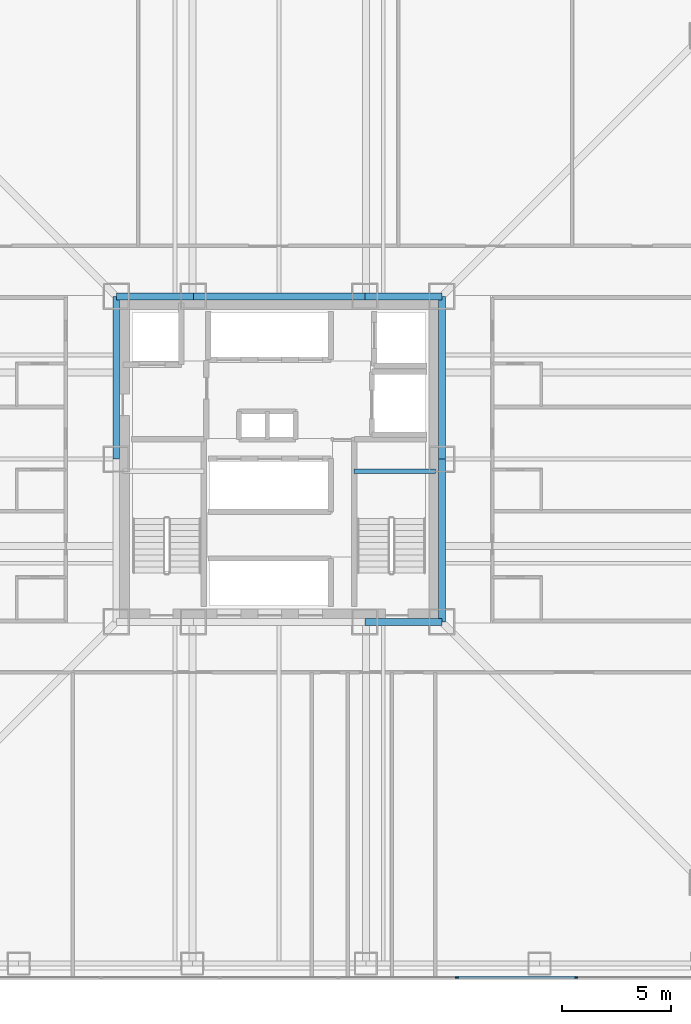
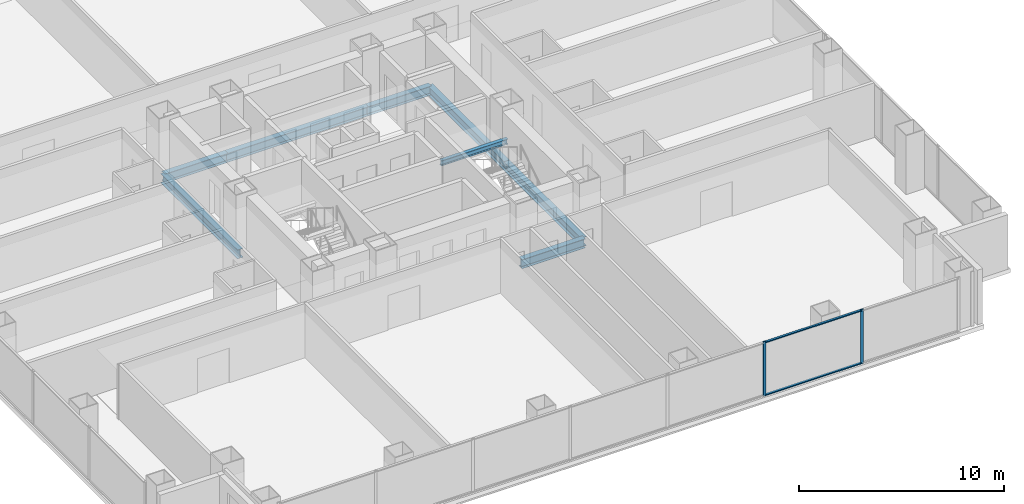
# One storey, part 5 of 16: 8 beams, 4 members, 1 element without a shape of its own.
"""IFC4 building model written with IfcOpenShell, lengths in metres."""

from ifc_helpers import new_model, si_unit, direction, frame, origin, origin_2d, place, context, subcontext, project, spatial, rectangle, i_section, extrude, material, layer, layer_set, material_profile, profile_set, type_object, element, aggregate, save


model = new_model("IFC4")

# Units and contexts
model_context = context("Model", 3, precision=1e-05, world=origin(), true_north=direction((0.0, 1.0)))
body_context = subcontext(model_context, "Body", "Model", "MODEL_VIEW")
ifc_project = project(units=[si_unit("LENGTHUNIT", "METRE"), si_unit("AREAUNIT", "SQUARE_METRE"), si_unit("VOLUMEUNIT", "CUBIC_METRE"), si_unit("PLANEANGLEUNIT", "RADIAN"), si_unit("MASSUNIT", "GRAM", prefix="KILO")], contexts=[model_context])

# Site, building, storey
site_placement = place(None, origin())
site = spatial("IfcSite", under=ifc_project, at=site_placement, CompositionType="ELEMENT")
building_placement = place(site_placement, origin())
building = spatial("IfcBuilding", under=site, at=building_placement, Name="Trevonay Congress Spire", CompositionType="ELEMENT")
storey_placement = place(building_placement, frame((0.0, 0.0, 51.5)))
storey = spatial("IfcBuildingStorey", under=building, at=storey_placement, Name="L12", CompositionType="ELEMENT", Elevation=51.5)

# Beams
ifc_material_1 = material(Name="Steel ASTM A572 Grade 50", Category="steel")
ifc_material_profile_1 = material_profile(ifc_material_1, i_section(OverallWidth=0.31201171875, OverallDepth=0.54296875, WebThickness=0.0126953125, FlangeThickness=0.020263671875, FilletRadius=0.014892578125, at=origin_2d()), Name="W530x150")
ifc_profile_set_1 = profile_set([ifc_material_profile_1], Name="Steel ASTM A572 Grade 50")
beam_type_1 = type_object("IfcBeamType", Name="BM-GIRD-W530X150", PredefinedType="BEAM", material=ifc_profile_set_1)
for number, where, z_axis, x_axis, name in (
    (1, (3.949951171875, -7.5, -0.521484375), (1.0, 0.0, 0.0), (0.0, 1.0, 0.0), "L12 structural beam BM-L12-CR-S3"),
    (2, (-7.5, 7.5, -0.521484375), (1.0, 0.0, 0.0), (0.0, 1.0, 0.0), "L12 structural beam BM-L12-CR-N1"),
):
    element("IfcBeam", number, at=place(storey_placement, frame(where, z_axis=z_axis, x_axis=x_axis)), inside=storey, type_object=beam_type_1, Name=name, PredefinedType="BEAM", context=body_context, shape_type="SweptSolid", body=[
        extrude(i_section(OverallWidth=0.31201171875, OverallDepth=0.54296875, WebThickness=0.0126953125, FlangeThickness=0.020263671875, FilletRadius=0.014892578125, at=origin_2d()), origin(), (0.0, 0.0, 1.0), 3.550048828125),
    ])
beam_1_placement = place(storey_placement, frame((-3.949951171875, 7.5, -0.521484375), z_axis=(1.0, 0.0, 0.0), x_axis=(0.0, 1.0, 0.0)))
element("IfcBeam", 3, at=beam_1_placement, inside=storey, type_object=beam_type_1, Name="L12 structural beam BM-L12-CR-N2", PredefinedType="BEAM", context=body_context, shape_type="SweptSolid", body=[
    extrude(i_section(OverallWidth=0.31201171875, OverallDepth=0.54296875, WebThickness=0.0126953125, FlangeThickness=0.020263671875, FilletRadius=0.014892578125, at=origin_2d()), origin(), (0.0, 0.0, 1.0), 7.89990234375),
])
beam_2_placement = place(storey_placement, frame((3.949951171875, 7.5, -0.521484375), z_axis=(1.0, 0.0, 0.0), x_axis=(0.0, 1.0, 0.0)))
element("IfcBeam", 4, at=beam_2_placement, inside=storey, type_object=beam_type_1, Name="L12 structural beam BM-L12-CR-N3", PredefinedType="BEAM", context=body_context, shape_type="SweptSolid", body=[
    extrude(i_section(OverallWidth=0.31201171875, OverallDepth=0.54296875, WebThickness=0.0126953125, FlangeThickness=0.020263671875, FilletRadius=0.014892578125, at=origin_2d()), origin(), (0.0, 0.0, 1.0), 3.550048828125),
])
for number, where, z_axis, x_axis, name in (
    (5, (-7.5, 0.0, -0.521484375), (0.0, 1.0, 0.0), (-1.0, 0.0, 0.0), "L12 structural beam BM-L12-CR-W2"),
    (6, (7.5, -7.5, -0.521484375), (0.0, 1.0, 0.0), (-1.0, 0.0, 0.0), "L12 structural beam BM-L12-CR-E1"),
    (7, (7.5, 0.0, -0.521484375), (0.0, 1.0, 0.0), (-1.0, 0.0, 0.0), "L12 structural beam BM-L12-CR-E2"),
):
    element("IfcBeam", number, at=place(storey_placement, frame(where, z_axis=z_axis, x_axis=x_axis)), inside=storey, type_object=beam_type_1, Name=name, PredefinedType="BEAM", context=body_context, shape_type="SweptSolid", body=[
        extrude(i_section(OverallWidth=0.31201171875, OverallDepth=0.54296875, WebThickness=0.0126953125, FlangeThickness=0.020263671875, FilletRadius=0.014892578125, at=origin_2d()), origin(), (0.0, 0.0, 1.0), 7.5),
    ])

# Curtain wall, members
ifc_material_2 = material(Name="Pale Anodised Aluminium EN AW-6063-T6", Category="aluminium")
ifc_layer = layer(ifc_material_2, 0.179931640625, Name="Pale Anodised Aluminium EN AW-6063-T6")
ifc_layer_set = layer_set([ifc_layer], Name="Pale Anodised Aluminium EN AW-6063-T6")
curtain_wall_type = type_object("IfcCurtainWallType", Name="CW-SYS02-HOTEL-PALE-METAL", PredefinedType="NOTDEFINED", material=ifc_layer_set)
curtain_wall_placement = place(storey_placement, origin())
curtain_wall = element("IfcCurtainWall", 8, at=curtain_wall_placement, inside=storey, type_object=curtain_wall_type, Name="L12 S unitised curtain wall", PredefinedType="NOTDEFINED")
ifc_material_profile_2 = material_profile(ifc_material_2, rectangle(XDim=0.06005859375, YDim=0.159912109375, at=origin_2d()), Name="CW-MULLION-160-ALUMINIUM")
ifc_profile_set_2 = profile_set([ifc_material_profile_2], Name="Pale Anodised Aluminium EN AW-6063-T6")
member_type_1 = type_object("IfcMemberType", Name="CW-MULLION-160-ALUMINIUM", PredefinedType="MULLION", material=ifc_profile_set_2)
member_1_placement = place(storey_placement, frame((8.20703125, -23.8798828125, 0.0), z_axis=(0.0, 0.0, 1.0), x_axis=(0.0, 1.0, 0.0)))
member_1 = element("IfcMember", 9, at=member_1_placement, type_object=member_type_1, Name="CW02 mullion 6", PredefinedType="MULLION", context=body_context, shape_type="SweptSolid", body=[
    extrude(rectangle(XDim=0.06005859375, YDim=0.159912109375, at=origin_2d()), origin(), (0.0, 0.0, 1.0), 3.25),
])
member_2_placement = place(storey_placement, frame((13.678466796875, -23.8798828125, 0.0), z_axis=(0.0, 0.0, 1.0), x_axis=(0.0, 1.0, 0.0)))
member_2 = element("IfcMember", 10, at=member_2_placement, type_object=member_type_1, Name="CW02 mullion 7", PredefinedType="MULLION", context=body_context, shape_type="SweptSolid", body=[
    extrude(rectangle(XDim=0.06005859375, YDim=0.159912109375, at=origin_2d()), origin(), (0.0, 0.0, 1.0), 3.25),
])
ifc_material_profile_3 = material_profile(ifc_material_2, rectangle(XDim=0.1201171875, YDim=0.06005859375, at=origin_2d()), Name="CW-TRANSOM-120-ALUMINIUM")
ifc_profile_set_3 = profile_set([ifc_material_profile_3], Name="Pale Anodised Aluminium EN AW-6063-T6")
member_type_2 = type_object("IfcMemberType", Name="CW-TRANSOM-120-ALUMINIUM", PredefinedType="USERDEFINED", material=ifc_profile_set_3)
member_3_placement = place(storey_placement, frame((8.237060546875, -23.8798828125, 0.06005859375), z_axis=(1.0, 0.0, 0.0), x_axis=(0.0, 1.0, 0.0)))
member_3 = element("IfcMember", 11, at=member_3_placement, type_object=member_type_2, Name="CW02 transom 6.1", ObjectType="TRANSOM", PredefinedType="USERDEFINED", context=body_context, shape_type="SweptSolid", body=[
    extrude(rectangle(XDim=0.1201171875, YDim=0.06005859375, at=origin_2d()), origin(), (0.0, 0.0, 1.0), 5.41162109375),
])
member_4_placement = place(storey_placement, frame((8.237060546875, -23.8798828125, 3.18994140625), z_axis=(1.0, 0.0, 0.0), x_axis=(0.0, 1.0, 0.0)))
member_4 = element("IfcMember", 12, at=member_4_placement, type_object=member_type_2, Name="CW02 transom 6.2", ObjectType="TRANSOM", PredefinedType="USERDEFINED", context=body_context, shape_type="SweptSolid", body=[
    extrude(rectangle(XDim=0.1201171875, YDim=0.06005859375, at=origin_2d()), origin(), (0.0, 0.0, 1.0), 5.41162109375),
])
aggregate(curtain_wall, [member_1, member_2, member_3, member_4])

# Beam
ifc_material_profile_4 = material_profile(ifc_material_1, i_section(OverallWidth=0.2041015625, OverallDepth=0.305908203125, WebThickness=0.008544921875, FlangeThickness=0.0146484375, FilletRadius=0.010986328125, at=origin_2d()), Name="W310x67")
ifc_profile_set_4 = profile_set([ifc_material_profile_4], Name="Steel ASTM A572 Grade 50")
beam_type_2 = type_object("IfcBeamType", Name="LN-CORE-W310X67", PredefinedType="LINTEL", material=ifc_profile_set_4)
beam_3_placement = place(storey_placement, frame((3.449951171875, -0.550048828125, 1.39697265625), z_axis=(1.0, 0.0, 0.0), x_axis=(0.0, 1.0, 0.0)))
element("IfcBeam", 13, at=beam_3_placement, inside=storey, type_object=beam_type_2, Name="L12 structural beam BM-L12-HL-ST2", PredefinedType="LINTEL", context=body_context, shape_type="SweptSolid", body=[
    extrude(i_section(OverallWidth=0.2041015625, OverallDepth=0.305908203125, WebThickness=0.008544921875, FlangeThickness=0.0146484375, FilletRadius=0.010986328125, at=origin_2d()), origin(), (0.0, 0.0, 1.0), 3.75),
])

save(model, "model.ifc")
